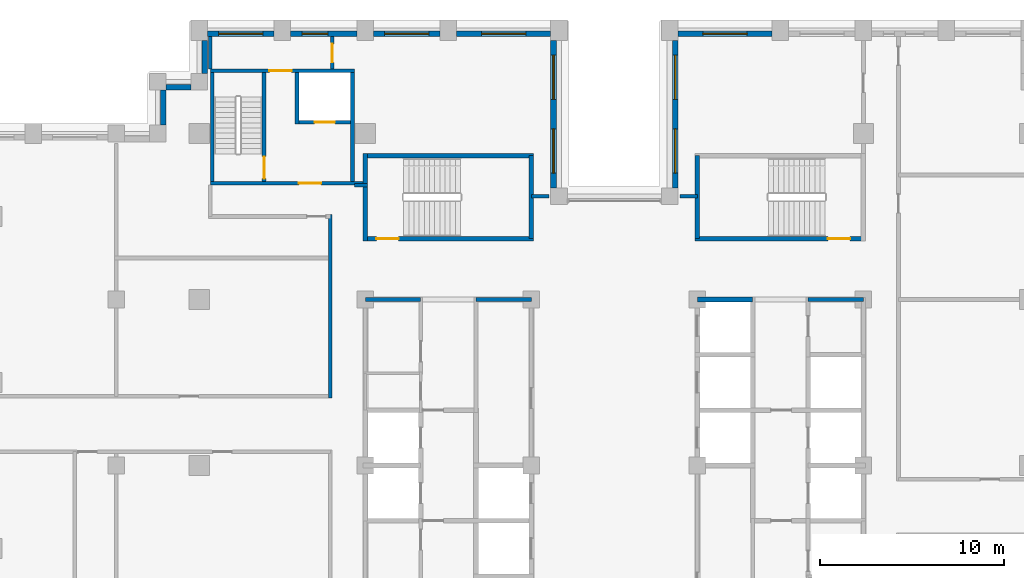
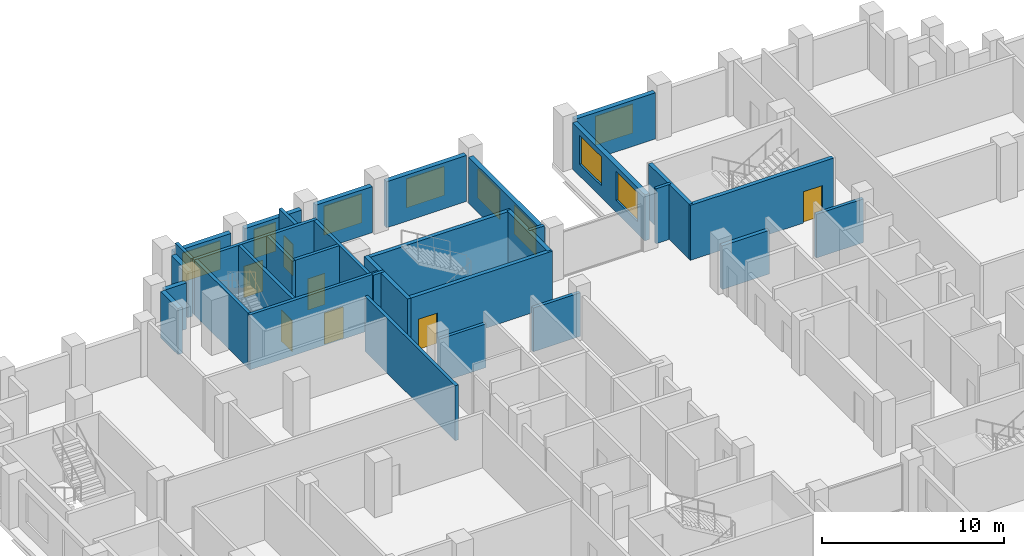
# One storey, part 10 of 15: 33 walls, 9 windows, 7 doors, 16 openings.
"""IFC4 building model written with IfcOpenShell, lengths in metres."""

from ifc_helpers import new_model, si_unit, direction, frame, frame_2d, origin, place, context, subcontext, project, spatial, rectangle, extrude, material, layer, layer_set, type_object, element, fill, save


model = new_model("IFC4")

# Units and contexts
model_context = context("Model", 3, precision=1e-05, world=origin(), true_north=direction((0.0, 1.0)))
body_context = subcontext(model_context, "Body", "Model", "MODEL_VIEW")
ifc_project = project(units=[si_unit("LENGTHUNIT", "METRE"), si_unit("AREAUNIT", "SQUARE_METRE"), si_unit("VOLUMEUNIT", "CUBIC_METRE"), si_unit("PLANEANGLEUNIT", "RADIAN"), si_unit("MASSUNIT", "GRAM", prefix="KILO")], contexts=[model_context])

# Site, building, storey
site_placement = place(None, origin())
site = spatial("IfcSite", under=ifc_project, at=site_placement, CompositionType="ELEMENT")
building_placement = place(site_placement, origin())
building = spatial("IfcBuilding", under=site, at=building_placement, Name="Corbelhall Arena Tower", CompositionType="ELEMENT")
storey_placement = place(building_placement, frame((0.0, 0.0, 138.0)))
storey = spatial("IfcBuildingStorey", under=building, at=storey_placement, Name="L26", CompositionType="ELEMENT", Elevation=138.0)

# Walls
ifc_material_1 = material(Name="Precast concrete C40/50 with granite facing", Category="masonry")
ifc_layer_1 = layer(ifc_material_1, 0.300048828125)
ifc_layer_set_1 = layer_set([ifc_layer_1], Name="EV-IW1 Infill panel 300")
wall_type_1 = type_object("IfcWallType", Name="EV-IW1 Infill panel 300", PredefinedType="SOLIDWALL", material=ifc_layer_set_1)
wall_1_placement = place(storey_placement, frame((-22.199951171875, 23.050048828125, 0.0), z_axis=(0.0, 0.0, 1.0), x_axis=(0.0, -1.0, 0.0)))
element("IfcWall", 1, at=wall_1_placement, inside=storey, type_object=wall_type_1, Name="Infill panel IW1", PredefinedType="SOLIDWALL", context=body_context, shape_type="SweptSolid", body=[
    extrude(rectangle(XDim=1.800048828125, YDim=0.300048828125, at=frame_2d((0.89990234375, 0.0))), origin(), (0.0, 0.0, 1.0), 3.10009765625),
])
wall_2_placement = place(storey_placement, frame((-22.949951171875, 20.5, 0.0), z_axis=(0.0, 0.0, 1.0), x_axis=(-1.0, 0.0, 0.0)))
element("IfcWall", 2, at=wall_2_placement, inside=storey, type_object=wall_type_1, Name="Infill panel IW1", PredefinedType="SOLIDWALL", context=body_context, shape_type="SweptSolid", body=[
    extrude(rectangle(XDim=1.35009765625, YDim=0.300048828125, at=frame_2d((0.675048828125, 0.0))), origin(), (0.0, 0.0, 1.0), 3.10009765625),
])
wall_3_placement = place(storey_placement, frame((-24.449951171875, 20.35009765625, 0.0), z_axis=(0.0, 0.0, 1.0), x_axis=(0.0, -1.0, 0.0)))
element("IfcWall", 3, at=wall_3_placement, inside=storey, type_object=wall_type_1, Name="Infill panel IW1", PredefinedType="SOLIDWALL", context=body_context, shape_type="SweptSolid", body=[
    extrude(rectangle(XDim=1.900146484375, YDim=0.300048828125, at=frame_2d((0.9501953125, 0.0))), origin(), (0.0, 0.0, 1.0), 3.10009765625),
])

# Wall, opening, window
wall_4_placement = place(storey_placement, frame((8.550048828125, 23.39990234375, 0.0), z_axis=(0.0, 0.0, 1.0), x_axis=(-1.0, 0.0, 0.0)))
wall_4 = element("IfcWall", 4, at=wall_4_placement, inside=storey, type_object=wall_type_1, Name="Infill panel IW1", PredefinedType="SOLIDWALL", context=body_context, shape_type="SweptSolid", body=[
    extrude(rectangle(XDim=5.10009765625, YDim=0.300048828125, at=frame_2d((2.550048828125, 0.0))), origin(), (0.0, 0.0, 1.0), 3.10009765625),
])
opening_1_placement = place(wall_4_placement, frame((1.35009765625, 0.0, 0.800048828125)))
opening_1 = element("IfcOpeningElement", 5, at=opening_1_placement, cuts=wall_4, Name="Opening WN1", PredefinedType="OPENING", context=body_context, shape_type="SweptSolid", body=[
    extrude(rectangle(XDim=2.39990234375, YDim=1.949951171875, at=frame_2d((1.199951171875, 0.97509765625))), frame((0.0, 0.14990234375, 0.0), z_axis=(0.0, -1.0, 0.0), x_axis=(1.0, 0.0, 0.0)), (0.0, 0.0, 1.0), 0.300048828125),
])
ifc_material_2 = material(Name="Aluminium black anodised", Category="aluminium")
window_type_1 = type_object("IfcWindowType", Name="EV-WN1 Office window", PartitioningType="SINGLE_PANEL", PredefinedType="WINDOW", material=ifc_material_2)
window_1_placement = place(opening_1_placement, origin())
window_1 = element("IfcWindow", 6, at=window_1_placement, inside=storey, type_object=window_type_1, Name="Window WN1", OverallHeight=1.949951171875, OverallWidth=2.39990234375, PartitioningType="SINGLE_PANEL", PredefinedType="WINDOW", context=body_context, shape_type="SweptSolid", body=[
    extrude(rectangle(XDim=2.39990234375, YDim=1.949951171875, at=frame_2d((1.199951171875, 0.97509765625))), frame((0.0, 0.030029296875, 0.0), z_axis=(0.0, -1.0, 0.0), x_axis=(1.0, 0.0, 0.0)), (0.0, 0.0, 1.0), 0.06005859375),
])
fill(opening_1, window_1)

# Wall, openings, windows
wall_5_placement = place(storey_placement, frame((3.300048828125, 23.050048828125, 0.0), z_axis=(0.0, 0.0, 1.0), x_axis=(0.0, -1.0, 0.0)))
wall_5 = element("IfcWall", 7, at=wall_5_placement, inside=storey, type_object=wall_type_1, Name="Infill panel IW1", PredefinedType="SOLIDWALL", context=body_context, shape_type="SweptSolid", body=[
    extrude(rectangle(XDim=8.0, YDim=0.300048828125, at=frame_2d((4.0, 0.0))), origin(), (0.0, 0.0, 1.0), 3.10009765625),
])
opening_2_placement = place(wall_5_placement, frame((0.800048828125, 0.0, 0.800048828125)))
opening_2 = element("IfcOpeningElement", 8, at=opening_2_placement, cuts=wall_5, Name="Opening WN1", PredefinedType="OPENING", context=body_context, shape_type="SweptSolid", body=[
    extrude(rectangle(XDim=2.39990234375, YDim=1.949951171875, at=frame_2d((1.199951171875, 0.97509765625))), frame((0.0, 0.14990234375, 0.0), z_axis=(0.0, -1.0, 0.0), x_axis=(1.0, 0.0, 0.0)), (0.0, 0.0, 1.0), 0.300048828125),
])
opening_3_placement = place(wall_5_placement, frame((4.800048828125, 0.0, 0.800048828125)))
opening_3 = element("IfcOpeningElement", 9, at=opening_3_placement, cuts=wall_5, Name="Opening WN1", PredefinedType="OPENING", context=body_context, shape_type="SweptSolid", body=[
    extrude(rectangle(XDim=2.39990234375, YDim=1.949951171875, at=frame_2d((1.199951171875, 0.97509765625))), frame((0.0, 0.14990234375, 0.0), z_axis=(0.0, -1.0, 0.0), x_axis=(1.0, 0.0, 0.0)), (0.0, 0.0, 1.0), 0.300048828125),
])
window_2_placement = place(opening_2_placement, origin())
window_2 = element("IfcWindow", 10, at=window_2_placement, inside=storey, type_object=window_type_1, Name="Window WN1", OverallHeight=1.949951171875, OverallWidth=2.39990234375, PartitioningType="SINGLE_PANEL", PredefinedType="WINDOW", context=body_context, shape_type="SweptSolid", body=[
    extrude(rectangle(XDim=2.39990234375, YDim=1.949951171875, at=frame_2d((1.199951171875, 0.97509765625))), frame((0.0, 0.030029296875, 0.0), z_axis=(0.0, -1.0, 0.0), x_axis=(1.0, 0.0, 0.0)), (0.0, 0.0, 1.0), 0.06005859375),
])
fill(opening_2, window_2)
window_3_placement = place(opening_3_placement, origin())
window_3 = element("IfcWindow", 11, at=window_3_placement, inside=storey, type_object=window_type_1, Name="Window WN1", OverallHeight=1.949951171875, OverallWidth=2.39990234375, PartitioningType="SINGLE_PANEL", PredefinedType="WINDOW", context=body_context, shape_type="SweptSolid", body=[
    extrude(rectangle(XDim=2.39990234375, YDim=1.949951171875, at=frame_2d((1.199951171875, 0.97509765625))), frame((0.0, 0.030029296875, 0.0), z_axis=(0.0, -1.0, 0.0), x_axis=(1.0, 0.0, 0.0)), (0.0, 0.0, 1.0), 0.06005859375),
])
fill(opening_3, window_3)

wall_6_placement = place(storey_placement, frame((-3.300048828125, 15.050048828125, 0.0), z_axis=(0.0, 0.0, 1.0), x_axis=(0.0, 1.0, 0.0)))
wall_6 = element("IfcWall", 12, at=wall_6_placement, inside=storey, type_object=wall_type_1, Name="Infill panel IW1", PredefinedType="SOLIDWALL", context=body_context, shape_type="SweptSolid", body=[
    extrude(rectangle(XDim=8.0, YDim=0.300048828125, at=frame_2d((4.0, 0.0))), origin(), (0.0, 0.0, 1.0), 3.10009765625),
])
opening_4_placement = place(wall_6_placement, frame((0.800048828125, 0.0, 0.800048828125)))
opening_4 = element("IfcOpeningElement", 13, at=opening_4_placement, cuts=wall_6, Name="Opening WN1", PredefinedType="OPENING", context=body_context, shape_type="SweptSolid", body=[
    extrude(rectangle(XDim=2.39990234375, YDim=1.949951171875, at=frame_2d((1.199951171875, 0.97509765625))), frame((0.0, 0.14990234375, 0.0), z_axis=(0.0, -1.0, 0.0), x_axis=(1.0, 0.0, 0.0)), (0.0, 0.0, 1.0), 0.300048828125),
])
opening_5_placement = place(wall_6_placement, frame((4.800048828125, 0.0, 0.800048828125)))
opening_5 = element("IfcOpeningElement", 14, at=opening_5_placement, cuts=wall_6, Name="Opening WN1", PredefinedType="OPENING", context=body_context, shape_type="SweptSolid", body=[
    extrude(rectangle(XDim=2.39990234375, YDim=1.949951171875, at=frame_2d((1.199951171875, 0.97509765625))), frame((0.0, 0.14990234375, 0.0), z_axis=(0.0, -1.0, 0.0), x_axis=(1.0, 0.0, 0.0)), (0.0, 0.0, 1.0), 0.300048828125),
])
window_4_placement = place(opening_4_placement, origin())
window_4 = element("IfcWindow", 15, at=window_4_placement, inside=storey, type_object=window_type_1, Name="Window WN1", OverallHeight=1.949951171875, OverallWidth=2.39990234375, PartitioningType="SINGLE_PANEL", PredefinedType="WINDOW", context=body_context, shape_type="SweptSolid", body=[
    extrude(rectangle(XDim=2.39990234375, YDim=1.949951171875, at=frame_2d((1.199951171875, 0.97509765625))), frame((0.0, 0.030029296875, 0.0), z_axis=(0.0, -1.0, 0.0), x_axis=(1.0, 0.0, 0.0)), (0.0, 0.0, 1.0), 0.06005859375),
])
fill(opening_4, window_4)
window_5_placement = place(opening_5_placement, origin())
window_5 = element("IfcWindow", 16, at=window_5_placement, inside=storey, type_object=window_type_1, Name="Window WN1", OverallHeight=1.949951171875, OverallWidth=2.39990234375, PartitioningType="SINGLE_PANEL", PredefinedType="WINDOW", context=body_context, shape_type="SweptSolid", body=[
    extrude(rectangle(XDim=2.39990234375, YDim=1.949951171875, at=frame_2d((1.199951171875, 0.97509765625))), frame((0.0, 0.030029296875, 0.0), z_axis=(0.0, -1.0, 0.0), x_axis=(1.0, 0.0, 0.0)), (0.0, 0.0, 1.0), 0.06005859375),
])
fill(opening_5, window_5)

# Wall, opening, window
wall_7_placement = place(storey_placement, frame((-3.449951171875, 23.39990234375, 0.0), z_axis=(0.0, 0.0, 1.0), x_axis=(-1.0, 0.0, 0.0)))
wall_7 = element("IfcWall", 17, at=wall_7_placement, inside=storey, type_object=wall_type_1, Name="Infill panel IW1", PredefinedType="SOLIDWALL", context=body_context, shape_type="SweptSolid", body=[
    extrude(rectangle(XDim=5.10009765625, YDim=0.300048828125, at=frame_2d((2.550048828125, 0.0))), origin(), (0.0, 0.0, 1.0), 3.10009765625),
])
opening_6_placement = place(wall_7_placement, frame((1.35009765625, 0.0, 0.800048828125)))
opening_6 = element("IfcOpeningElement", 18, at=opening_6_placement, cuts=wall_7, Name="Opening WN1", PredefinedType="OPENING", context=body_context, shape_type="SweptSolid", body=[
    extrude(rectangle(XDim=2.39990234375, YDim=1.949951171875, at=frame_2d((1.199951171875, 0.97509765625))), frame((0.0, 0.14990234375, 0.0), z_axis=(0.0, -1.0, 0.0), x_axis=(1.0, 0.0, 0.0)), (0.0, 0.0, 1.0), 0.300048828125),
])
window_6_placement = place(opening_6_placement, origin())
window_6 = element("IfcWindow", 19, at=window_6_placement, inside=storey, type_object=window_type_1, Name="Window WN1", OverallHeight=1.949951171875, OverallWidth=2.39990234375, PartitioningType="SINGLE_PANEL", PredefinedType="WINDOW", context=body_context, shape_type="SweptSolid", body=[
    extrude(rectangle(XDim=2.39990234375, YDim=1.949951171875, at=frame_2d((1.199951171875, 0.97509765625))), frame((0.0, 0.030029296875, 0.0), z_axis=(0.0, -1.0, 0.0), x_axis=(1.0, 0.0, 0.0)), (0.0, 0.0, 1.0), 0.06005859375),
])
fill(opening_6, window_6)

wall_8_placement = place(storey_placement, frame((-9.449951171875, 23.39990234375, 0.0), z_axis=(0.0, 0.0, 1.0), x_axis=(-1.0, 0.0, 0.0)))
wall_8 = element("IfcWall", 20, at=wall_8_placement, inside=storey, type_object=wall_type_1, Name="Infill panel IW1", PredefinedType="SOLIDWALL", context=body_context, shape_type="SweptSolid", body=[
    extrude(rectangle(XDim=3.60009765625, YDim=0.300048828125, at=frame_2d((1.800048828125, 0.0))), origin(), (0.0, 0.0, 1.0), 3.10009765625),
])
opening_7_placement = place(wall_8_placement, frame((0.60009765625, 0.0, 0.800048828125)))
opening_7 = element("IfcOpeningElement", 21, at=opening_7_placement, cuts=wall_8, Name="Opening WN1", PredefinedType="OPENING", context=body_context, shape_type="SweptSolid", body=[
    extrude(rectangle(XDim=2.39990234375, YDim=1.949951171875, at=frame_2d((1.199951171875, 0.97509765625))), frame((0.0, 0.14990234375, 0.0), z_axis=(0.0, -1.0, 0.0), x_axis=(1.0, 0.0, 0.0)), (0.0, 0.0, 1.0), 0.300048828125),
])
window_7_placement = place(opening_7_placement, origin())
window_7 = element("IfcWindow", 22, at=window_7_placement, inside=storey, type_object=window_type_1, Name="Window WN1", OverallHeight=1.949951171875, OverallWidth=2.39990234375, PartitioningType="SINGLE_PANEL", PredefinedType="WINDOW", context=body_context, shape_type="SweptSolid", body=[
    extrude(rectangle(XDim=2.39990234375, YDim=1.949951171875, at=frame_2d((1.199951171875, 0.97509765625))), frame((0.0, 0.030029296875, 0.0), z_axis=(0.0, -1.0, 0.0), x_axis=(1.0, 0.0, 0.0)), (0.0, 0.0, 1.0), 0.06005859375),
])
fill(opening_7, window_7)

wall_9_placement = place(storey_placement, frame((-13.949951171875, 23.39990234375, 0.0), z_axis=(0.0, 0.0, 1.0), x_axis=(-1.0, 0.0, 0.0)))
wall_9 = element("IfcWall", 23, at=wall_9_placement, inside=storey, type_object=wall_type_1, Name="Infill panel IW1", PredefinedType="SOLIDWALL", context=body_context, shape_type="SweptSolid", body=[
    extrude(rectangle(XDim=3.60009765625, YDim=0.300048828125, at=frame_2d((1.800048828125, 0.0))), origin(), (0.0, 0.0, 1.0), 3.10009765625),
])
opening_8_placement = place(wall_9_placement, frame((1.574951171875, 0.0, 0.800048828125)))
opening_8 = element("IfcOpeningElement", 24, at=opening_8_placement, cuts=wall_9, Name="Opening WN7", PredefinedType="OPENING", context=body_context, shape_type="SweptSolid", body=[
    extrude(rectangle(XDim=1.39990234375, YDim=1.949951171875, at=frame_2d((0.699951171875, 0.97509765625))), frame((0.0, 0.14990234375, 0.0), z_axis=(0.0, -1.0, 0.0), x_axis=(1.0, 0.0, 0.0)), (0.0, 0.0, 1.0), 0.300048828125),
])
window_type_2 = type_object("IfcWindowType", Name="EV-WN7 Office window 1400", PartitioningType="SINGLE_PANEL", PredefinedType="WINDOW", material=ifc_material_2)
window_8_placement = place(opening_8_placement, origin())
window_8 = element("IfcWindow", 25, at=window_8_placement, inside=storey, type_object=window_type_2, Name="Window WN7", OverallHeight=1.949951171875, OverallWidth=1.39990234375, PartitioningType="SINGLE_PANEL", PredefinedType="WINDOW", context=body_context, shape_type="SweptSolid", body=[
    extrude(rectangle(XDim=1.39990234375, YDim=1.949951171875, at=frame_2d((0.699951171875, 0.97509765625))), frame((0.0, 0.030029296875, 0.0), z_axis=(0.0, -1.0, 0.0), x_axis=(1.0, 0.0, 0.0)), (0.0, 0.0, 1.0), 0.06005859375),
])
fill(opening_8, window_8)

wall_10_placement = place(storey_placement, frame((-18.449951171875, 23.39990234375, 0.0), z_axis=(0.0, 0.0, 1.0), x_axis=(-1.0, 0.0, 0.0)))
wall_10 = element("IfcWall", 26, at=wall_10_placement, inside=storey, type_object=wall_type_1, Name="Infill panel IW1", PredefinedType="SOLIDWALL", context=body_context, shape_type="SweptSolid", body=[
    extrude(rectangle(XDim=3.60009765625, YDim=0.300048828125, at=frame_2d((1.800048828125, 0.0))), origin(), (0.0, 0.0, 1.0), 3.10009765625),
])
opening_9_placement = place(wall_10_placement, frame((0.60009765625, 0.0, 0.800048828125)))
opening_9 = element("IfcOpeningElement", 27, at=opening_9_placement, cuts=wall_10, Name="Opening WN1", PredefinedType="OPENING", context=body_context, shape_type="SweptSolid", body=[
    extrude(rectangle(XDim=2.39990234375, YDim=1.949951171875, at=frame_2d((1.199951171875, 0.97509765625))), frame((0.0, 0.14990234375, 0.0), z_axis=(0.0, -1.0, 0.0), x_axis=(1.0, 0.0, 0.0)), (0.0, 0.0, 1.0), 0.300048828125),
])
window_9_placement = place(opening_9_placement, origin())
window_9 = element("IfcWindow", 28, at=window_9_placement, inside=storey, type_object=window_type_1, Name="Window WN1", OverallHeight=1.949951171875, OverallWidth=2.39990234375, PartitioningType="SINGLE_PANEL", PredefinedType="WINDOW", context=body_context, shape_type="SweptSolid", body=[
    extrude(rectangle(XDim=2.39990234375, YDim=1.949951171875, at=frame_2d((1.199951171875, 0.97509765625))), frame((0.0, 0.030029296875, 0.0), z_axis=(0.0, -1.0, 0.0), x_axis=(1.0, 0.0, 0.0)), (0.0, 0.0, 1.0), 0.06005859375),
])
fill(opening_9, window_9)

# Walls
ifc_material_3 = material(Name="Gypsum board on steel stud, acoustic", Category="steel")
ifc_layer_2 = layer(ifc_material_3, 0.199951171875)
ifc_layer_set_2 = layer_set([ifc_layer_2], Name="IN-W-DM200")
wall_type_2 = type_object("IfcWallType", Name="IN-W-DM200", PredefinedType="PARTITIONING", material=ifc_layer_set_2)
wall_11_placement = place(storey_placement, frame((-21.89990234375, 21.5, 0.0), z_axis=(0.0, 0.0, 1.0), x_axis=(0.0, 1.0, 0.0)))
element("IfcWall", 29, at=wall_11_placement, inside=storey, type_object=wall_type_2, Name="Partition 015", PredefinedType="PARTITIONING", context=body_context, shape_type="SweptSolid", body=[
    extrude(rectangle(XDim=1.75, YDim=0.199951171875, at=frame_2d((0.875, 0.0))), origin(), (0.0, 0.0, 1.0), 3.699951171875),
])
wall_12_placement = place(storey_placement, frame((-15.39990234375, 3.64990234375, 0.0), z_axis=(0.0, 0.0, 1.0), x_axis=(0.0, 1.0, 0.0)))
element("IfcWall", 30, at=wall_12_placement, inside=storey, type_object=wall_type_2, Name="Partition 017", PredefinedType="PARTITIONING", context=body_context, shape_type="SweptSolid", body=[
    extrude(rectangle(XDim=9.9501953125, YDim=0.199951171875, at=frame_2d((4.97509765625, 0.0))), origin(), (0.0, 0.0, 1.0), 3.699951171875),
])

# Wall, opening, door
wall_13_placement = place(storey_placement, frame((-15.300048828125, 23.25, 0.0), z_axis=(0.0, 0.0, 1.0), x_axis=(0.0, -1.0, 0.0)))
wall_13 = element("IfcWall", 31, at=wall_13_placement, inside=storey, type_object=wall_type_2, Name="Partition 019", PredefinedType="PARTITIONING", context=body_context, shape_type="SweptSolid", body=[
    extrude(rectangle(XDim=1.75, YDim=0.199951171875, at=frame_2d((0.875, 0.0))), origin(), (0.0, 0.0, 1.0), 3.699951171875),
])
opening_10_placement = place(wall_13_placement, frame((0.39990234375, 0.0, 0.0)))
opening_10 = element("IfcOpeningElement", 32, at=opening_10_placement, cuts=wall_13, Name="Opening 07022", PredefinedType="OPENING", context=body_context, shape_type="SweptSolid", body=[
    extrude(rectangle(XDim=1.0, YDim=2.10009765625, at=frame_2d((0.5, 1.050048828125))), frame((0.0, 0.10009765625, 0.0), z_axis=(0.0, -1.0, 0.0), x_axis=(1.0, 0.0, 0.0)), (0.0, 0.0, 1.0), 0.199951171875),
])
ifc_material_4 = material(Name="Steel door set", Category="steel")
door_type_1 = type_object("IfcDoorType", Name="IN-D-SW100", OperationType="NOTDEFINED", PredefinedType="DOOR", material=ifc_material_4)
door_1_placement = place(opening_10_placement, origin())
door_1 = element("IfcDoor", 33, at=door_1_placement, inside=storey, type_object=door_type_1, Name="Door 022", OperationType="SINGLE_SWING_LEFT", OverallHeight=2.10009765625, OverallWidth=1.0, PredefinedType="DOOR", context=body_context, shape_type="SweptSolid", body=[
    extrude(rectangle(XDim=1.0, YDim=2.10009765625, at=frame_2d((0.5, 1.050048828125))), frame((0.0, 0.02490234375, 0.0), z_axis=(0.0, -1.0, 0.0), x_axis=(1.0, 0.0, 0.0)), (0.0, 0.0, 1.0), 0.050048828125),
])
fill(opening_10, door_1)

# Walls
wall_14_placement = place(storey_placement, frame((-14.10009765625, 15.199951171875, 0.0), z_axis=(0.0, 0.0, 1.0), x_axis=(1.0, 0.0, 0.0)))
element("IfcWall", 34, at=wall_14_placement, inside=storey, type_object=wall_type_2, Name="Partition 020", PredefinedType="PARTITIONING", context=body_context, shape_type="SweptSolid", body=[
    extrude(rectangle(XDim=0.72509765625, YDim=0.199951171875, at=frame_2d((0.362548828125, 0.0))), origin(), (0.0, 0.0, 1.0), 3.699951171875),
])
for number, where, z_axis, x_axis, name in (
    (35, (-4.5, 14.60009765625, 0.0), (0.0, 0.0, 1.0), (1.0, 0.0, 0.0), "Partition 022"),
    (36, (3.550048828125, 14.60009765625, 0.0), (0.0, 0.0, 1.0), (1.0, 0.0, 0.0), "Partition 024"),
):
    element("IfcWall", number, at=place(storey_placement, frame(where, z_axis=z_axis, x_axis=x_axis)), inside=storey, type_object=wall_type_2, Name=name, PredefinedType="PARTITIONING", context=body_context, shape_type="SweptSolid", body=[
        extrude(rectangle(XDim=0.949951171875, YDim=0.199951171875, at=frame_2d((0.47509765625, 0.0))), origin(), (0.0, 0.0, 1.0), 3.699951171875),
    ])

# Wall, opening, door
ifc_material_5 = material(Name="Concrete C40/50", Category="concrete")
ifc_layer_3 = layer(ifc_material_5, 0.199951171875)
ifc_layer_set_3 = layer_set([ifc_layer_3], Name="IN-W-EAR200")
wall_type_3 = type_object("IfcWallType", Name="IN-W-EAR200", PredefinedType="SOLIDWALL", material=ifc_layer_set_3)
wall_15_placement = place(storey_placement, frame((-21.89990234375, 15.300048828125, 0.0), z_axis=(0.0, 0.0, 1.0), x_axis=(1.0, 0.0, 0.0)))
wall_15 = element("IfcWall", 37, at=wall_15_placement, inside=storey, type_object=wall_type_3, Name="Fire service turret wall south", PredefinedType="SOLIDWALL", context=body_context, shape_type="SweptSolid", body=[
    extrude(rectangle(XDim=8.27490234375, YDim=0.199951171875, at=frame_2d((4.137451171875, 0.0))), origin(), (0.0, 0.0, 1.0), 3.699951171875),
])
opening_11_placement = place(wall_15_placement, frame((4.800048828125, 0.0, 0.0)))
opening_11 = element("IfcOpeningElement", 38, at=opening_11_placement, cuts=wall_15, Name="Opening E072", PredefinedType="OPENING", context=body_context, shape_type="SweptSolid", body=[
    extrude(rectangle(XDim=1.199951171875, YDim=2.10009765625, at=frame_2d((0.60009765625, 1.050048828125))), frame((0.0, 0.10009765625, 0.0), z_axis=(0.0, -1.0, 0.0), x_axis=(1.0, 0.0, 0.0)), (0.0, 0.0, 1.0), 0.199951171875),
])
door_type_2 = type_object("IfcDoorType", Name="IN-D-ST120", OperationType="NOTDEFINED", PredefinedType="DOOR", material=ifc_material_4)
door_2_placement = place(opening_11_placement, origin())
door_2 = element("IfcDoor", 39, at=door_2_placement, inside=storey, type_object=door_type_2, Name="Door from fire service lift lobby to circulation", OperationType="SINGLE_SWING_RIGHT", OverallHeight=2.10009765625, OverallWidth=1.199951171875, PredefinedType="DOOR", context=body_context, shape_type="SweptSolid", body=[
    extrude(rectangle(XDim=1.199951171875, YDim=2.10009765625, at=frame_2d((0.60009765625, 1.050048828125))), frame((0.0, 0.02490234375, 0.0), z_axis=(0.0, -1.0, 0.0), x_axis=(1.0, 0.0, 0.0)), (0.0, 0.0, 1.0), 0.050048828125),
])
fill(opening_11, door_2)

wall_16_placement = place(storey_placement, frame((-21.89990234375, 21.39990234375, 0.0), z_axis=(0.0, 0.0, 1.0), x_axis=(1.0, 0.0, 0.0)))
wall_16 = element("IfcWall", 40, at=wall_16_placement, inside=storey, type_object=wall_type_3, Name="Fire service turret wall north", PredefinedType="SOLIDWALL", context=body_context, shape_type="SweptSolid", body=[
    extrude(rectangle(XDim=7.7998046875, YDim=0.199951171875, at=frame_2d((3.89990234375, 0.0))), origin(), (0.0, 0.0, 1.0), 3.699951171875),
])
opening_12_placement = place(wall_16_placement, frame((3.199951171875, 0.0, 0.0)))
opening_12 = element("IfcOpeningElement", 41, at=opening_12_placement, cuts=wall_16, Name="Opening E073", PredefinedType="OPENING", context=body_context, shape_type="SweptSolid", body=[
    extrude(rectangle(XDim=1.199951171875, YDim=2.10009765625, at=frame_2d((0.60009765625, 1.050048828125))), frame((0.0, 0.10009765625, 0.0), z_axis=(0.0, -1.0, 0.0), x_axis=(1.0, 0.0, 0.0)), (0.0, 0.0, 1.0), 0.199951171875),
])
door_3_placement = place(opening_12_placement, origin())
door_3 = element("IfcDoor", 42, at=door_3_placement, inside=storey, type_object=door_type_2, Name="Door from fire service lift lobby to the north gallery", OperationType="SINGLE_SWING_LEFT", OverallHeight=2.10009765625, OverallWidth=1.199951171875, PredefinedType="DOOR", context=body_context, shape_type="SweptSolid", body=[
    extrude(rectangle(XDim=1.199951171875, YDim=2.10009765625, at=frame_2d((0.60009765625, 1.050048828125))), frame((0.0, 0.02490234375, 0.0), z_axis=(0.0, -1.0, 0.0), x_axis=(1.0, 0.0, 0.0)), (0.0, 0.0, 1.0), 0.050048828125),
])
fill(opening_12, door_3)

# Walls
for number, where, z_axis, x_axis, name in (
    (43, (-21.800048828125, 15.39990234375, 0.0), (0.0, 0.0, 1.0), (0.0, 1.0, 0.0), "Fire service turret wall west"),
    (44, (-14.199951171875, 15.39990234375, 0.0), (0.0, 0.0, 1.0), (0.0, 1.0, 0.0), "Fire service turret wall east"),
):
    element("IfcWall", number, at=place(storey_placement, frame(where, z_axis=z_axis, x_axis=x_axis)), inside=storey, type_object=wall_type_3, Name=name, PredefinedType="SOLIDWALL", context=body_context, shape_type="SweptSolid", body=[
        extrude(rectangle(XDim=5.900146484375, YDim=0.199951171875, at=frame_2d((2.9501953125, 0.0))), origin(), (0.0, 0.0, 1.0), 3.699951171875),
    ])

# Wall, opening, door
wall_17_placement = place(storey_placement, frame((-18.989990234375, 15.39990234375, 0.0), z_axis=(0.0, 0.0, 1.0), x_axis=(0.0, 1.0, 0.0)))
wall_17 = element("IfcWall", 45, at=wall_17_placement, inside=storey, type_object=wall_type_3, Name="Fire service turret wall stair", PredefinedType="SOLIDWALL", context=body_context, shape_type="SweptSolid", body=[
    extrude(rectangle(XDim=5.900146484375, YDim=0.199951171875, at=frame_2d((2.9501953125, 0.0))), origin(), (0.0, 0.0, 1.0), 3.699951171875),
])
opening_13_placement = place(wall_17_placement, frame((0.14990234375, 0.0, 0.0)))
opening_13 = element("IfcOpeningElement", 46, at=opening_13_placement, cuts=wall_17, Name="Opening E071", PredefinedType="OPENING", context=body_context, shape_type="SweptSolid", body=[
    extrude(rectangle(XDim=1.199951171875, YDim=2.10009765625, at=frame_2d((0.60009765625, 1.050048828125))), frame((0.0, 0.10009765625, 0.0), z_axis=(0.0, -1.0, 0.0), x_axis=(1.0, 0.0, 0.0)), (0.0, 0.0, 1.0), 0.199951171875),
])
door_4_placement = place(opening_13_placement, origin())
door_4 = element("IfcDoor", 47, at=door_4_placement, inside=storey, type_object=door_type_2, Name="Stair door to fire service lobby", OperationType="SINGLE_SWING_LEFT", OverallHeight=2.10009765625, OverallWidth=1.199951171875, PredefinedType="DOOR", context=body_context, shape_type="SweptSolid", body=[
    extrude(rectangle(XDim=1.199951171875, YDim=2.10009765625, at=frame_2d((0.60009765625, 1.050048828125))), frame((0.0, 0.02490234375, 0.0), z_axis=(0.0, -1.0, 0.0), x_axis=(1.0, 0.0, 0.0)), (0.0, 0.0, 1.0), 0.050048828125),
])
fill(opening_13, door_4)

# Wall
wall_18_placement = place(storey_placement, frame((-17.199951171875, 18.5, 0.0), z_axis=(0.0, 0.0, 1.0), x_axis=(0.0, 1.0, 0.0)))
element("IfcWall", 48, at=wall_18_placement, inside=storey, type_object=wall_type_3, Name="Fire service turret wall hoistway west", PredefinedType="SOLIDWALL", context=body_context, shape_type="SweptSolid", body=[
    extrude(rectangle(XDim=2.800048828125, YDim=0.199951171875, at=frame_2d((1.39990234375, 0.0))), origin(), (0.0, 0.0, 1.0), 3.699951171875),
])

# Wall, opening, door
wall_19_placement = place(storey_placement, frame((-17.10009765625, 18.60009765625, 0.0), z_axis=(0.0, 0.0, 1.0), x_axis=(1.0, 0.0, 0.0)))
wall_19 = element("IfcWall", 49, at=wall_19_placement, inside=storey, type_object=wall_type_3, Name="Fire service turret wall hoistway south", PredefinedType="SOLIDWALL", context=body_context, shape_type="SweptSolid", body=[
    extrude(rectangle(XDim=2.800048828125, YDim=0.199951171875, at=frame_2d((1.39990234375, 0.0))), origin(), (0.0, 0.0, 1.0), 3.699951171875),
])
opening_14_placement = place(wall_19_placement, frame((0.85009765625, 0.0, 0.0)))
opening_14 = element("IfcOpeningElement", 50, at=opening_14_placement, cuts=wall_19, Name="Opening LD", PredefinedType="OPENING", context=body_context, shape_type="SweptSolid", body=[
    extrude(rectangle(XDim=1.10009765625, YDim=2.10009765625, at=frame_2d((0.550048828125, 1.050048828125))), frame((0.0, 0.10009765625, 0.0), z_axis=(0.0, -1.0, 0.0), x_axis=(1.0, 0.0, 0.0)), (0.0, 0.0, 1.0), 0.199951171875),
])
door_type_3 = type_object("IfcDoorType", Name="IN-D-LD110", OperationType="NOTDEFINED", PredefinedType="DOOR", material=ifc_material_4)
door_5_placement = place(opening_14_placement, origin())
door_5 = element("IfcDoor", 51, at=door_5_placement, inside=storey, type_object=door_type_3, Name="Landing door FS1", OperationType="SLIDING_TO_LEFT", OverallHeight=2.10009765625, OverallWidth=1.10009765625, PredefinedType="DOOR", context=body_context, shape_type="SweptSolid", body=[
    extrude(rectangle(XDim=1.10009765625, YDim=2.10009765625, at=frame_2d((0.550048828125, 1.050048828125))), frame((0.0, 0.02490234375, 0.0), z_axis=(0.0, -1.0, 0.0), x_axis=(1.0, 0.0, 0.0)), (0.0, 0.0, 1.0), 0.050048828125),
])
fill(opening_14, door_5)

# Walls
ifc_material_6 = material(Name="Concrete block wall", Category="concrete")
ifc_layer_4 = layer(ifc_material_6, 0.199951171875)
ifc_layer_set_4 = layer_set([ifc_layer_4], Name="IN-W-RS200 under beam 762 mm")
wall_type_4 = type_object("IfcWallType", Name="IN-W-RS200 under beam 762 mm", PredefinedType="SOLIDWALL", material=ifc_layer_set_4)
for number, where, z_axis, x_axis, name in (
    (52, (-13.5, 9.0, 0.0), (0.0, 0.0, 1.0), (1.0, 0.0, 0.0), "Partition 048"),
    (53, (-7.5, 9.0, 0.0), (0.0, 0.0, 1.0), (1.0, 0.0, 0.0), "Partition 052"),
    (54, (10.5, 9.0, 0.0), (0.0, 0.0, 1.0), (1.0, 0.0, 0.0), "Partition 058"),
):
    element("IfcWall", number, at=place(storey_placement, frame(where, z_axis=z_axis, x_axis=x_axis)), inside=storey, type_object=wall_type_4, Name=name, PredefinedType="SOLIDWALL", context=body_context, shape_type="SweptSolid", body=[
        extrude(rectangle(XDim=3.0, YDim=0.199951171875, at=frame_2d((1.5, 0.0))), origin(), (0.0, 0.0, 1.0), 2.93798828125),
    ])
ifc_layer_5 = layer(ifc_material_5, 0.25)
ifc_layer_set_5 = layer_set([ifc_layer_5], Name="IN-W-SH250 under beam 762 mm")
wall_type_5 = type_object("IfcWallType", Name="IN-W-SH250 under beam 762 mm", PredefinedType="SOLIDWALL", material=ifc_layer_set_5)
wall_20_placement = place(storey_placement, frame((4.5, 9.0, 0.0), z_axis=(0.0, 0.0, 1.0), x_axis=(1.0, 0.0, 0.0)))
element("IfcWall", 55, at=wall_20_placement, inside=storey, type_object=wall_type_5, Name="Shaft wall 076", PredefinedType="SOLIDWALL", context=body_context, shape_type="SweptSolid", body=[
    extrude(rectangle(XDim=3.0, YDim=0.25, at=frame_2d((1.5, 0.0))), origin(), (0.0, 0.0, 1.0), 2.93798828125),
])

# Wall, opening, door
ifc_layer_6 = layer(ifc_material_5, 0.25)
ifc_layer_set_6 = layer_set([ifc_layer_6], Name="IN-W-ST250")
wall_type_6 = type_object("IfcWallType", Name="IN-W-ST250", PredefinedType="SOLIDWALL", material=ifc_layer_set_6)
wall_21_placement = place(storey_placement, frame((-13.5, 12.300048828125, 0.0), z_axis=(0.0, 0.0, 1.0), x_axis=(1.0, 0.0, 0.0)))
wall_21 = element("IfcWall", 56, at=wall_21_placement, inside=storey, type_object=wall_type_6, Name="Shaft wall 090", PredefinedType="SOLIDWALL", context=body_context, shape_type="SweptSolid", body=[
    extrude(rectangle(XDim=9.125, YDim=0.25, at=frame_2d((4.5625, 0.0))), origin(), (0.0, 0.0, 1.0), 3.699951171875),
])
opening_15_placement = place(wall_21_placement, frame((0.60009765625, 0.0, 0.0)))
opening_15 = element("IfcOpeningElement", 57, at=opening_15_placement, cuts=wall_21, Name="Opening 07014", PredefinedType="OPENING", context=body_context, shape_type="SweptSolid", body=[
    extrude(rectangle(XDim=1.199951171875, YDim=2.10009765625, at=frame_2d((0.60009765625, 1.050048828125))), frame((0.0, 0.125, 0.0), z_axis=(0.0, -1.0, 0.0), x_axis=(1.0, 0.0, 0.0)), (0.0, 0.0, 1.0), 0.25),
])
door_6_placement = place(opening_15_placement, origin())
door_6 = element("IfcDoor", 58, at=door_6_placement, inside=storey, type_object=door_type_2, Name="Door 014", OperationType="SINGLE_SWING_LEFT", OverallHeight=2.10009765625, OverallWidth=1.199951171875, PredefinedType="DOOR", context=body_context, shape_type="SweptSolid", body=[
    extrude(rectangle(XDim=1.199951171875, YDim=2.10009765625, at=frame_2d((0.60009765625, 1.050048828125))), frame((0.0, 0.02490234375, 0.0), z_axis=(0.0, -1.0, 0.0), x_axis=(1.0, 0.0, 0.0)), (0.0, 0.0, 1.0), 0.050048828125),
])
fill(opening_15, door_6)

# Walls
wall_22_placement = place(storey_placement, frame((-13.5, 12.175048828125, 0.0), z_axis=(0.0, 0.0, 1.0), x_axis=(0.0, 1.0, 0.0)))
element("IfcWall", 59, at=wall_22_placement, inside=storey, type_object=wall_type_6, Name="Shaft wall 091", PredefinedType="SOLIDWALL", context=body_context, shape_type="SweptSolid", body=[
    extrude(rectangle(XDim=4.75, YDim=0.25, at=frame_2d((2.375, 0.0))), origin(), (0.0, 0.0, 1.0), 3.699951171875),
])
wall_23_placement = place(storey_placement, frame((-13.5, 16.800048828125, 0.0), z_axis=(0.0, 0.0, 1.0), x_axis=(1.0, 0.0, 0.0)))
element("IfcWall", 60, at=wall_23_placement, inside=storey, type_object=wall_type_6, Name="Shaft wall 092", PredefinedType="SOLIDWALL", context=body_context, shape_type="SweptSolid", body=[
    extrude(rectangle(XDim=9.125, YDim=0.25, at=frame_2d((4.5625, 0.0))), origin(), (0.0, 0.0, 1.0), 3.699951171875),
])
wall_24_placement = place(storey_placement, frame((-4.5, 16.800048828125, 0.0), z_axis=(0.0, 0.0, 1.0), x_axis=(0.0, -1.0, 0.0)))
element("IfcWall", 61, at=wall_24_placement, inside=storey, type_object=wall_type_6, Name="Shaft wall 095", PredefinedType="SOLIDWALL", context=body_context, shape_type="SweptSolid", body=[
    extrude(rectangle(XDim=4.5, YDim=0.25, at=frame_2d((2.25, 0.0))), origin(), (0.0, 0.0, 1.0), 3.699951171875),
])

# Wall, opening, door
wall_25_placement = place(storey_placement, frame((4.375, 12.300048828125, 0.0), z_axis=(0.0, 0.0, 1.0), x_axis=(1.0, 0.0, 0.0)))
wall_25 = element("IfcWall", 62, at=wall_25_placement, inside=storey, type_object=wall_type_6, Name="Shaft wall 097", PredefinedType="SOLIDWALL", context=body_context, shape_type="SweptSolid", body=[
    extrude(rectangle(XDim=9.125, YDim=0.25, at=frame_2d((4.5625, 0.0))), origin(), (0.0, 0.0, 1.0), 3.699951171875),
])
opening_16_placement = place(wall_25_placement, frame((7.199951171875, 0.0, 0.0)))
opening_16 = element("IfcOpeningElement", 63, at=opening_16_placement, cuts=wall_25, Name="Opening 07016", PredefinedType="OPENING", context=body_context, shape_type="SweptSolid", body=[
    extrude(rectangle(XDim=1.199951171875, YDim=2.10009765625, at=frame_2d((0.60009765625, 1.050048828125))), frame((0.0, 0.125, 0.0), z_axis=(0.0, -1.0, 0.0), x_axis=(1.0, 0.0, 0.0)), (0.0, 0.0, 1.0), 0.25),
])
door_7_placement = place(opening_16_placement, origin())
door_7 = element("IfcDoor", 64, at=door_7_placement, inside=storey, type_object=door_type_2, Name="Door 016", OperationType="SINGLE_SWING_LEFT", OverallHeight=2.10009765625, OverallWidth=1.199951171875, PredefinedType="DOOR", context=body_context, shape_type="SweptSolid", body=[
    extrude(rectangle(XDim=1.199951171875, YDim=2.10009765625, at=frame_2d((0.60009765625, 1.050048828125))), frame((0.0, 0.02490234375, 0.0), z_axis=(0.0, -1.0, 0.0), x_axis=(1.0, 0.0, 0.0)), (0.0, 0.0, 1.0), 0.050048828125),
])
fill(opening_16, door_7)

# Wall
wall_26_placement = place(storey_placement, frame((4.5, 12.300048828125, 0.0), z_axis=(0.0, 0.0, 1.0), x_axis=(0.0, 1.0, 0.0)))
element("IfcWall", 65, at=wall_26_placement, inside=storey, type_object=wall_type_6, Name="Shaft wall 100", PredefinedType="SOLIDWALL", context=body_context, shape_type="SweptSolid", body=[
    extrude(rectangle(XDim=4.5, YDim=0.25, at=frame_2d((2.25, 0.0))), origin(), (0.0, 0.0, 1.0), 3.699951171875),
])

save(model, "model.ifc")
